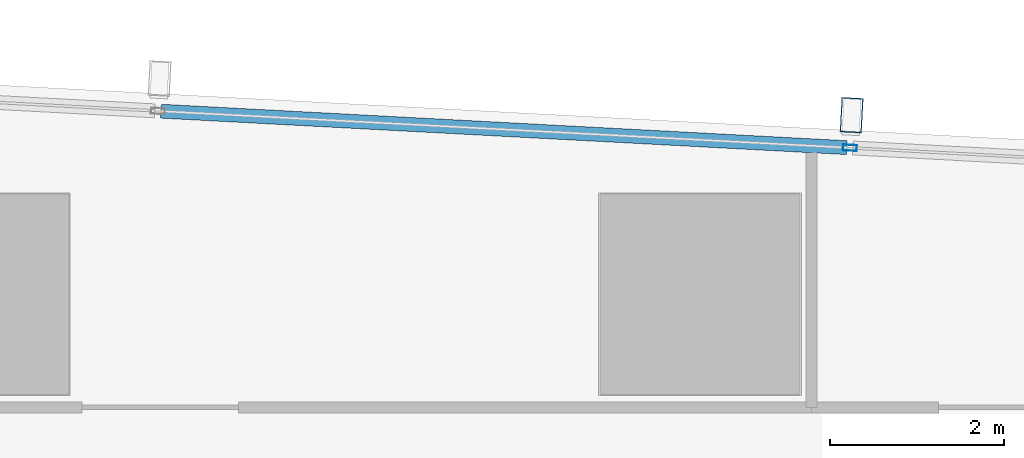
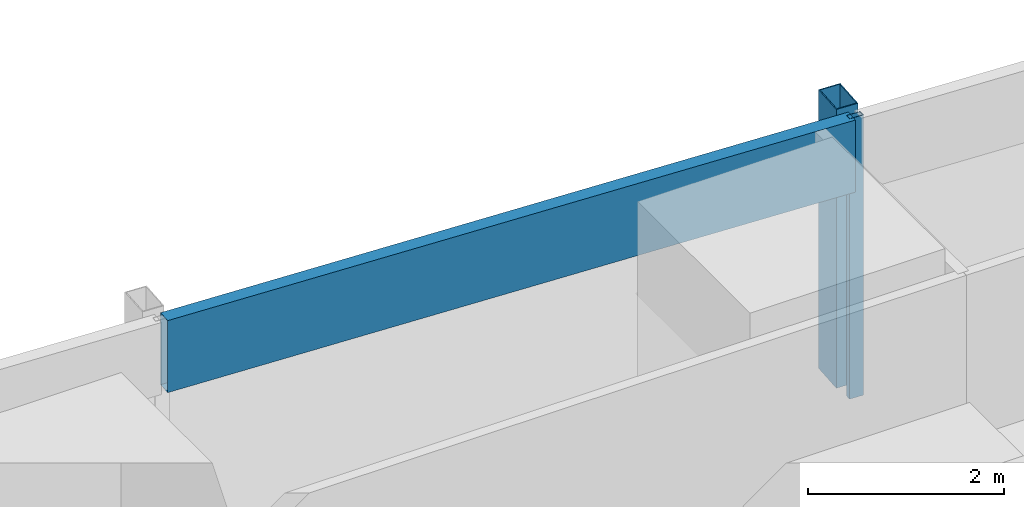
# One storey, part 18 of 32: 3 members, 1 element without a shape of its own.
"""IFC4 building model written with IfcOpenShell, lengths in metres."""

from ifc_helpers import new_model, si_unit, direction, frame, origin, origin_2d, place, context, subcontext, project, spatial, hollow_rectangle, extrude, material, material_profile, profile_set, type_object, element, aggregate, save


model = new_model("IFC4")

# Units and contexts
model_context = context("Model", 3, precision=1e-05, world=origin(), true_north=direction((0.0, 1.0)))
body_context = subcontext(model_context, "Body", "Model", "MODEL_VIEW")
ifc_project = project(units=[si_unit("LENGTHUNIT", "METRE"), si_unit("AREAUNIT", "SQUARE_METRE"), si_unit("VOLUMEUNIT", "CUBIC_METRE"), si_unit("PLANEANGLEUNIT", "RADIAN"), si_unit("MASSUNIT", "GRAM", prefix="KILO")], contexts=[model_context])

# Site, building, storey
site_placement = place(None, origin())
site = spatial("IfcSite", under=ifc_project, at=site_placement, CompositionType="ELEMENT")
building_placement = place(site_placement, origin())
building = spatial("IfcBuilding", under=site, at=building_placement, Name="Rekha Terrace Tower", CompositionType="ELEMENT")
storey_placement = place(building_placement, frame((0.0, 0.0, 250.10009765625)))
storey = spatial("IfcBuildingStorey", under=building, at=storey_placement, Name="L63", CompositionType="ELEMENT", Elevation=250.10009765625)

# Curtain wall, members
ifc_material_1 = material(Name="Aluminium framing", Category="aluminium")
curtain_wall_type = type_object("IfcCurtainWallType", Name="CW3 north unitised glazing", PredefinedType="USERDEFINED", material=ifc_material_1)
curtain_wall_placement = place(storey_placement, origin())
curtain_wall = element("IfcCurtainWall", 1, at=curtain_wall_placement, inside=storey, type_object=curtain_wall_type, Name="CW3 unitised curtain wall", ObjectType="UNITISED CURTAIN WALL", PredefinedType="USERDEFINED")
ifc_material_2 = material(Name="Steel S355 with fluorocarbon finish", Category="steel")
ifc_material_profile_1 = material_profile(ifc_material_2, hollow_rectangle(XDim=0.25, YDim=0.39990234375, WallThickness=0.012451171875, at=origin_2d()), Name="RHS400x250x12.5")
ifc_profile_set_1 = profile_set([ifc_material_profile_1], Name="Steel S355 with fluorocarbon finish")
member_type_1 = type_object("IfcMemberType", Name="BL1 facade blade RHS 400 x 250", PredefinedType="USERDEFINED", material=ifc_profile_set_1)
member_1_placement = place(storey_placement, frame((52.142822265625, 52.456298828125, 0.02001953125), z_axis=(0.0, 0.0, 1.0), x_axis=(-0.998590068481, 0.053083661621, 0.0)))
member_1 = element("IfcMember", 2, at=member_1_placement, type_object=member_type_1, Name="Facade blade", ObjectType="FACADE BLADE", PredefinedType="USERDEFINED", context=body_context, shape_type="SweptSolid", body=[
    extrude(hollow_rectangle(XDim=0.25, YDim=0.39990234375, WallThickness=0.012451171875, at=origin_2d()), origin(), (0.0, 0.0, 1.0), 3.47998046875),
])
ifc_material_3 = material(Name="Aluminium mullion section", Category="aluminium")
ifc_material_profile_2 = material_profile(ifc_material_3, hollow_rectangle(XDim=0.070068359375, YDim=0.159912109375, WallThickness=0.00390625, at=origin_2d()), Name="AL RHS 70x160")
ifc_profile_set_2 = profile_set([ifc_material_profile_2], Name="Aluminium mullion section")
member_type_2 = type_object("IfcMemberType", Name="CW3 mullion RHS 70 x 160", PredefinedType="MULLION", material=ifc_profile_set_2)
member_2_placement = place(storey_placement, frame((52.122802734375, 52.081787109375, 0.0), z_axis=(0.0, 0.0, 1.0), x_axis=(-0.053083275524, -0.998590089005, 0.0)))
member_2 = element("IfcMember", 3, at=member_2_placement, type_object=member_type_2, Name="CW3 mullion 2", PredefinedType="MULLION", context=body_context, shape_type="SweptSolid", body=[
    extrude(hollow_rectangle(XDim=0.070068359375, YDim=0.159912109375, WallThickness=0.00390625, at=origin_2d()), origin(), (0.0, 0.0, 1.0), 3.5),
])
ifc_material_4 = material(Name="Insulated aluminium spandrel box", Category="aluminium")
ifc_material_profile_3 = material_profile(ifc_material_4, hollow_rectangle(XDim=0.159912109375, YDim=0.89990234375, WallThickness=0.0029296875, at=origin_2d()), Name="AL SPANDREL BOX 160x900")
ifc_profile_set_3 = profile_set([ifc_material_profile_3], Name="Insulated aluminium spandrel box")
member_type_3 = type_object("IfcMemberType", Name="CW3 spandrel transom 160 x 900", PredefinedType="USERDEFINED", material=ifc_profile_set_3)
member_3_placement = place(storey_placement, frame((52.087890625, 52.08349609375, 3.0498046875), z_axis=(-0.998589741295, 0.053089816156, 0.0), x_axis=(-0.053089816156, -0.998589741295, 0.0)))
member_3 = element("IfcMember", 4, at=member_3_placement, type_object=member_type_3, Name="CW3 spandrel transom 2", ObjectType="TRANSOM", PredefinedType="USERDEFINED", context=body_context, shape_type="SweptSolid", body=[
    extrude(hollow_rectangle(XDim=0.159912109375, YDim=0.89990234375, WallThickness=0.0029296875, at=origin_2d()), origin(), (0.0, 0.0, 1.0), 7.891357421875),
])
aggregate(curtain_wall, [member_2, member_3, member_1])

save(model, "model.ifc")
